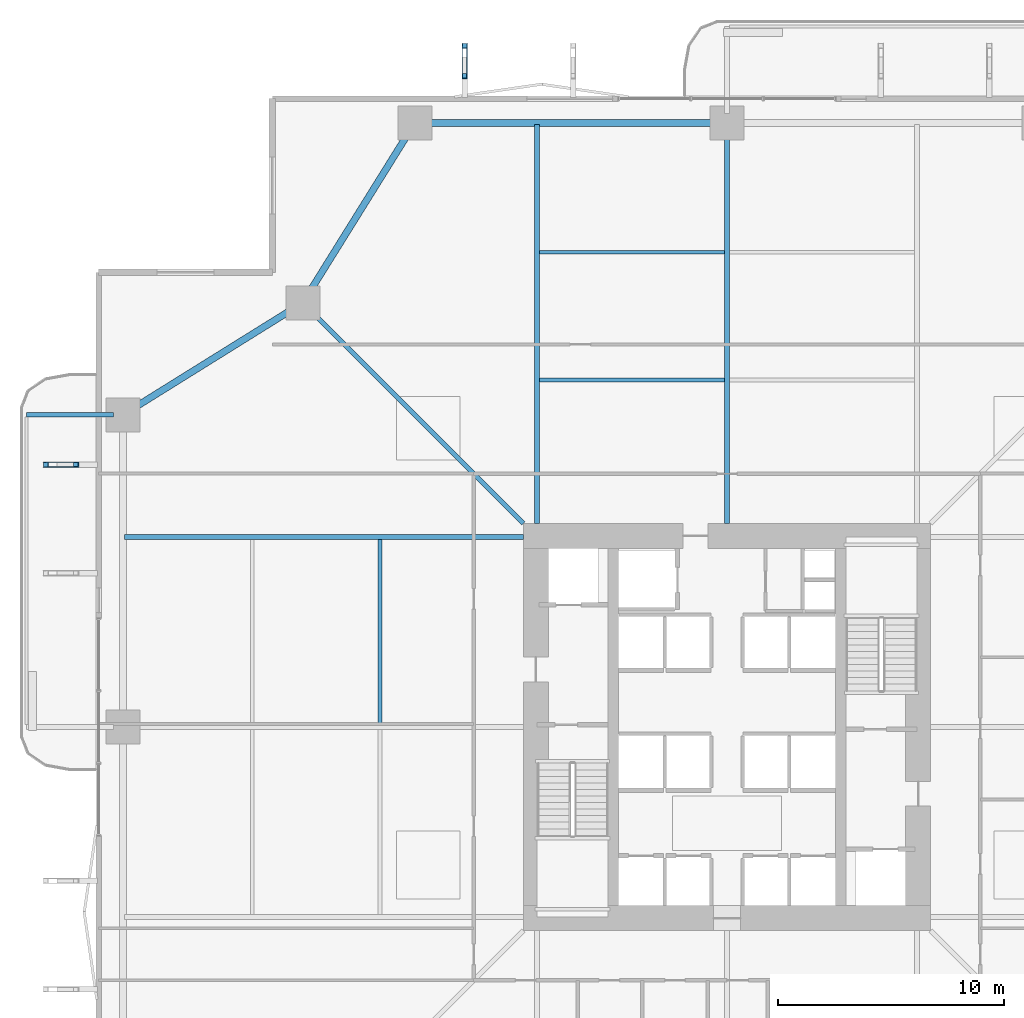
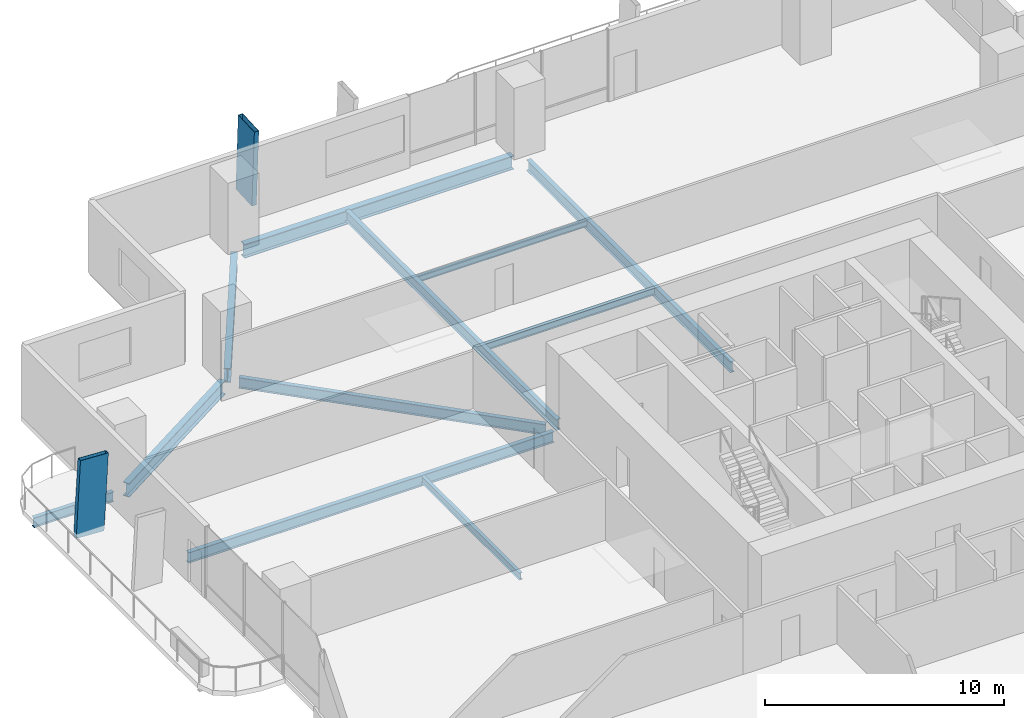
# One storey, part 10 of 23: 11 beams, 2 members.
"""IFC4 building model written with IfcOpenShell, lengths in metres."""

import ifcopenshell
import ifcopenshell.guid

model = None  # the IFC model being written
_history = None  # IfcOwnerHistory: only IFC2X3 demands one
_inside = {}  # id of a spatial element -> (the spatial element, [elements in it])
_under = {}  # id of a project, library or spatial element -> (it, [spatial elements below it])
_declared = {}  # id of a project -> (the project, [libraries it declares])
_typed = {}  # id of a type object -> (the type object, [elements of that type])
_made_of = {}  # id of a material, layer set ... -> (it, [elements and type objects made of it])


def new_model(schema):
    """Start an empty IFC model of exactly this schema.

    Asked for "IFC4X3", IfcOpenShell would pick the latest addendum, in which some entities
    have other attributes; the version numbers below select the first issue.
    IFC2X3 requires an IfcOwnerHistory on every rooted entity: one is made here for all.
    """
    global model, _history
    if schema == "IFC4X3":
        model = ifcopenshell.file(schema_version=(4, 3, 0, 0))
    else:
        model = ifcopenshell.file(schema=schema)
    _inside.clear()
    _under.clear()
    _declared.clear()
    _typed.clear()
    _made_of.clear()
    _history = None
    if model.schema == "IFC2X3":
        org = make("IfcOrganization", Name="unknown")
        user = make(
            "IfcPersonAndOrganization",
            ThePerson=make("IfcPerson", FamilyName="unknown"),
            TheOrganization=org,
        )
        app = make(
            "IfcApplication",
            ApplicationDeveloper=org,
            Version="unknown",
            ApplicationFullName="unknown",
            ApplicationIdentifier="unknown",
        )
        _history = make(
            "IfcOwnerHistory",
            OwningUser=user,
            OwningApplication=app,
            ChangeAction="ADDED",
            CreationDate=0,
        )
    return model


def make(cls, **values):
    """One entity of the class cls with the attributes given. An attribute that is None is left unset."""
    return model.create_entity(
        cls, **{name: value for name, value in values.items() if value is not None}
    )


def rooted(cls, **values):
    """An entity with a GlobalId (a new one), such as an element, a storey or a relation."""
    return make(cls, GlobalId=ifcopenshell.guid.new(), OwnerHistory=_history, **values)


def si_unit(unit_type, name, prefix=None):
    """IfcSIUnit, for example si_unit("LENGTHUNIT", "METRE", prefix="MILLI")."""
    return make("IfcSIUnit", UnitType=unit_type, Prefix=prefix, Name=name)


def assignment(units):
    """IfcUnitAssignment: the units of a project."""
    return None if units is None else make("IfcUnitAssignment", Units=units)


def point(xyz):
    """IfcCartesianPoint."""
    return None if xyz is None else make("IfcCartesianPoint", Coordinates=xyz)


def direction(xyz):
    """IfcDirection."""
    return None if xyz is None else make("IfcDirection", DirectionRatios=xyz)


def frame(location, z_axis=None, x_axis=None):
    """IfcAxis2Placement3D, a coordinate frame: its origin and axes. An axis left out is left unset."""
    return make(
        "IfcAxis2Placement3D",
        Location=point(location),
        Axis=direction(z_axis),
        RefDirection=direction(x_axis),
    )


def frame_2d(location, x_axis=None):
    """IfcAxis2Placement2D, a coordinate frame in the plane: its origin and x axis."""
    return make(
        "IfcAxis2Placement2D", Location=point(location), RefDirection=direction(x_axis)
    )


def origin():
    """The frame at (0, 0, 0) with its axes left unset."""
    return frame((0.0, 0.0, 0.0))


def origin_2d():
    """The frame at (0, 0) in the plane with its x axis left unset."""
    return frame_2d((0.0, 0.0))


def place(relative_to, where):
    """IfcLocalPlacement: puts the frame where relative to a parent placement (None: the world)."""
    return make(
        "IfcLocalPlacement", PlacementRelTo=relative_to, RelativePlacement=where
    )


def context(
    kind, dimensions, precision=None, world=None, true_north=None, identifier=None
):
    """IfcGeometricRepresentationContext, for example the 3D "Model" context."""
    return make(
        "IfcGeometricRepresentationContext",
        ContextIdentifier=identifier,
        ContextType=kind,
        CoordinateSpaceDimension=dimensions,
        Precision=precision,
        WorldCoordinateSystem=world,
        TrueNorth=true_north,
    )


def subcontext(parent, identifier, kind, view, scale=None):
    """IfcGeometricRepresentationSubContext, for example "Body" below "Model"."""
    return make(
        "IfcGeometricRepresentationSubContext",
        ContextIdentifier=identifier,
        ContextType=kind,
        ParentContext=parent,
        TargetScale=scale,
        TargetView=view,
    )


def project(units=None, contexts=None):
    """IfcProject with its units and contexts."""
    return rooted(
        "IfcProject",
        Name="project",
        RepresentationContexts=contexts,
        UnitsInContext=assignment(units),
    )


def spatial(cls, under=None, at=None, **own):
    """A site, building, storey or space (cls), placed at a placement, below another one or the project."""
    s = rooted(cls, ObjectPlacement=at, **own)
    if under is not None:
        _under.setdefault(under.id(), (under, []))[1].append(s)
    return s


def profile(cls, at=None, kind="AREA", **sizes):
    """A parametric profile (cls). Its sizes go by their IFC names, for example OverallWidth=200.0."""
    return make(cls, ProfileType=kind, Position=at, **sizes)


def hollow_rectangle(**sizes):
    """IfcRectangleHollowProfileDef."""
    return profile("IfcRectangleHollowProfileDef", **sizes)


def i_section(**sizes):
    """IfcIShapeProfileDef."""
    return profile("IfcIShapeProfileDef", **sizes)


def extrude(swept, where, along, depth):
    """IfcExtrudedAreaSolid: the profile swept, set in the frame where, extruded along a direction by depth."""
    return make(
        "IfcExtrudedAreaSolid",
        SweptArea=swept,
        Position=where,
        ExtrudedDirection=direction(along),
        Depth=depth,
    )


def shape(context_of_items, identifier, shape_type, items):
    """IfcShapeRepresentation: the items that make up one representation, for example the "Body"."""
    return make(
        "IfcShapeRepresentation",
        ContextOfItems=context_of_items,
        RepresentationIdentifier=identifier,
        RepresentationType=shape_type,
        Items=items,
    )


def material(Name=None, Category=None):
    """IfcMaterial."""
    return make("IfcMaterial", Name=Name, Category=Category)


def material_profile(
    of_material, cross_section, Name=None, Category=None, Priority=None
):
    """IfcMaterialProfile: a cross section and its material."""
    return make(
        "IfcMaterialProfile",
        Name=Name,
        Material=of_material,
        Profile=cross_section,
        Priority=Priority,
        Category=Category,
    )


def profile_set(profiles, Name=None, composite=None):
    """IfcMaterialProfileSet."""
    return make(
        "IfcMaterialProfileSet",
        Name=Name,
        MaterialProfiles=profiles,
        CompositeProfile=composite,
    )


def made_of(thing, what):
    """Note that an element or type object is made of a material, layer set ...; save() writes the relation."""
    if what is not None:
        _made_of.setdefault(what.id(), (what, []))[1].append(thing)
    return thing


def type_object(cls, material=None, **own):
    """A type object (cls), such as IfcWallType, which elements share."""
    return made_of(rooted(cls, **own), material)


def element(
    cls,
    number,
    at=None,
    inside=None,
    cuts=None,
    type_object=None,
    material=None,
    context=None,
    identifier="Body",
    shape_type=None,
    held_by="IfcProductDefinitionShape",
    body=None,
    shapes=None,
    **own,
):
    """One element of the class cls, such as IfcWall. Its Tag is "e" and its number.

    at: its placement. inside: the storey or other place that contains it. cuts: it is an
    opening in that element (IfcRelVoidsElement). A single representation is given by context,
    identifier, shape_type and body (its items); several are given by shapes. held_by: the class
    of the entity that holds the representations. save() writes the other relations.
    """
    e = rooted(cls, Tag="e%d" % number, ObjectPlacement=at, **own)
    if body is not None:
        shapes = [shape(context, identifier, shape_type, body)]
    if shapes is not None:
        e.Representation = make(held_by, Representations=shapes)
    if inside is not None:
        _inside.setdefault(inside.id(), (inside, []))[1].append(e)
    if cuts is not None:
        rooted(
            "IfcRelVoidsElement", RelatingBuildingElement=cuts, RelatedOpeningElement=e
        )
    if type_object is not None:
        _typed.setdefault(type_object.id(), (type_object, []))[1].append(e)
    return made_of(e, material)


def aggregate(whole, parts):
    """IfcRelAggregates: a whole, such as a stair, and the parts it consists of."""
    return rooted("IfcRelAggregates", RelatingObject=whole, RelatedObjects=parts)


def save(model, path):
    """Write the relations noted so far, then the file.

    IfcRelAggregates (storeys below a building ...), IfcRelContainedInSpatialStructure (elements
    in a storey), IfcRelDefinesByType, IfcRelAssociatesMaterial and IfcRelDeclares: one each for
    every whole, place, type object, material and project.
    """
    for whole, parts in _under.values():
        aggregate(whole, parts)
    for where, things in _inside.values():
        rooted(
            "IfcRelContainedInSpatialStructure",
            RelatedElements=things,
            RelatingStructure=where,
        )
    for kind, things in _typed.values():
        rooted("IfcRelDefinesByType", RelatedObjects=things, RelatingType=kind)
    for what, things in _made_of.values():
        rooted("IfcRelAssociatesMaterial", RelatedObjects=things, RelatingMaterial=what)
    for by, libraries in _declared.values():
        rooted("IfcRelDeclares", RelatingContext=by, RelatedDefinitions=libraries)
    model.write(path)


model = new_model("IFC4")

# Units and contexts
model_context = context("Model", 3, precision=1e-05, world=origin(), true_north=direction((0.0, 1.0)))
body_context = subcontext(model_context, "Body", "Model", "MODEL_VIEW")
ifc_project = project(units=[si_unit("LENGTHUNIT", "METRE"), si_unit("AREAUNIT", "SQUARE_METRE"), si_unit("VOLUMEUNIT", "CUBIC_METRE"), si_unit("PLANEANGLEUNIT", "RADIAN"), si_unit("MASSUNIT", "GRAM", prefix="KILO")], contexts=[model_context])

# Site, building, storey
site_placement = place(None, origin())
site = spatial("IfcSite", under=ifc_project, at=site_placement, CompositionType="ELEMENT")
building_placement = place(site_placement, origin())
building = spatial("IfcBuilding", under=site, at=building_placement, Name="Belovzor Exchange Tower", CompositionType="ELEMENT")
storey_placement = place(building_placement, frame((0.0, 0.0, 65.10009765625)))
storey = spatial("IfcBuildingStorey", under=building, at=storey_placement, Name="L15", CompositionType="ELEMENT", Elevation=65.10009765625)

# Members
ifc_material_1 = material(Name="Extruded Architectural Terracotta on Steel S355 Carrier", Category="masonry")
ifc_material_profile_1 = material_profile(ifc_material_1, hollow_rectangle(XDim=0.219970703125, YDim=1.35009765625, WallThickness=0.013916015625, at=origin_2d()))
ifc_profile_set_1 = profile_set([ifc_material_profile_1], Name="Extruded Architectural Terracotta on Steel S355 Carrier")
member_type = type_object("IfcMemberType", Name="Base Arc Sweeping Terracotta Pylon Fin 1450", PredefinedType="USERDEFINED", material=ifc_profile_set_1)
for number, where, z_axis, x_axis, name in (
    (1, (17.199951171875, 58.339111328125, -0.25), (0.0, -0.053011620344, 0.998593895489), (1.0, 0.0, 0.0), "FIN-TC145 Terracotta Facade Fin L15 N1"),
    (2, (-0.739013671875, 40.39990234375, -0.25), (0.053011620344, 0.0, 0.998593895489), (0.0, 1.0, 0.0), "FIN-TC145 Terracotta Facade Fin L15 W4"),
):
    element("IfcMember", number, at=place(storey_placement, frame(where, z_axis=z_axis, x_axis=x_axis)), inside=storey, type_object=member_type, Name=name, ObjectType="FIN", PredefinedType="USERDEFINED", context=body_context, shape_type="SweptSolid", body=[
        extrude(hollow_rectangle(XDim=0.219970703125, YDim=1.35009765625, WallThickness=0.013916015625, at=origin_2d()), origin(), (0.0, 0.0, 1.0), 3.9052734375),
    ])

# Beams
ifc_material_2 = material(Name="Steel S355", Category="steel")
ifc_material_profile_2 = material_profile(ifc_material_2, i_section(OverallWidth=0.199951171875, OverallDepth=0.5, WebThickness=0.01025390625, FlangeThickness=0.01611328125, at=origin_2d()))
ifc_profile_set_2 = profile_set([ifc_material_profile_2], Name="Steel S355")
beam_type_1 = type_object("IfcBeamType", Name="Planted Balcony Cantilever Beam IPE 500", PredefinedType="BEAM", material=ifc_profile_set_2)
beam_1_placement = place(storey_placement, frame((1.68798828125, 42.60009765625, -0.5), z_axis=(-1.0, 0.0, 0.0), x_axis=(0.0, -1.0, 0.0)))
element("IfcBeam", 3, at=beam_1_placement, inside=storey, type_object=beam_type_1, Name="BC-500 Planted Balcony Cantilever Beam IPE 500", PredefinedType="BEAM", context=body_context, shape_type="SweptSolid", body=[
    extrude(i_section(OverallWidth=0.199951171875, OverallDepth=0.5, WebThickness=0.01025390625, FlangeThickness=0.01611328125, at=origin_2d()), origin(), (0.0, 0.0, 1.0), 3.85009765625),
])
ifc_material_3 = material(Name="Steel S355", Category="steel")
ifc_material_profile_3 = material_profile(ifc_material_3, i_section(OverallWidth=0.169921875, OverallDepth=0.360107421875, WebThickness=0.008056640625, FlangeThickness=0.0126953125, at=origin_2d()))
ifc_profile_set_3 = profile_set([ifc_material_profile_3], Name="Steel S355")
beam_type_2 = type_object("IfcBeamType", Name="Secondary Infill Floor Joist IPE 360", PredefinedType="BEAM", material=ifc_profile_set_3)
beam_2_placement = place(storey_placement, frame((20.5048828125, 44.14501953125, -0.43017578125), z_axis=(1.0, 0.0, 0.0), x_axis=(0.0, 1.0, 0.0)))
element("IfcBeam", 4, at=beam_2_placement, inside=storey, type_object=beam_type_2, Name="FJ-360 Secondary Infill Floor Joist IPE 360", PredefinedType="BEAM", context=body_context, shape_type="SweptSolid", body=[
    extrude(i_section(OverallWidth=0.169921875, OverallDepth=0.360107421875, WebThickness=0.008056640625, FlangeThickness=0.0126953125, at=origin_2d()), origin(), (0.0, 0.0, 1.0), 8.190185546875),
])
beam_3_placement = place(storey_placement, frame((13.455078125, 28.905029296875, -0.43017578125), z_axis=(0.0, 1.0, 0.0), x_axis=(-1.0, 0.0, 0.0)))
element("IfcBeam", 5, at=beam_3_placement, inside=storey, type_object=beam_type_2, Name="FJ-360 Secondary Infill Floor Joist IPE 360", PredefinedType="BEAM", context=body_context, shape_type="SweptSolid", body=[
    extrude(i_section(OverallWidth=0.169921875, OverallDepth=0.360107421875, WebThickness=0.008056640625, FlangeThickness=0.0126953125, at=origin_2d()), origin(), (0.0, 0.0, 1.0), 8.18994140625),
])
ifc_material_4 = material(Name="Steel S355", Category="steel")
ifc_material_profile_4 = material_profile(ifc_material_4, i_section(OverallWidth=0.14990234375, OverallDepth=0.300048828125, WebThickness=0.007080078125, FlangeThickness=0.0107421875, at=origin_2d()))
ifc_profile_set_4 = profile_set([ifc_material_profile_4], Name="Steel S355")
beam_type_3 = type_object("IfcBeamType", Name="Secondary Trim Floor Joist IPE 300", PredefinedType="BEAM", material=ifc_profile_set_4)
beam_4_placement = place(storey_placement, frame((20.5048828125, 49.784912109375, -0.400146484375), z_axis=(1.0, 0.0, 0.0), x_axis=(0.0, 1.0, 0.0)))
element("IfcBeam", 6, at=beam_4_placement, inside=storey, type_object=beam_type_3, Name="FJ-300 Secondary Trim Floor Joist IPE 300", PredefinedType="BEAM", context=body_context, shape_type="SweptSolid", body=[
    extrude(i_section(OverallWidth=0.14990234375, OverallDepth=0.300048828125, WebThickness=0.007080078125, FlangeThickness=0.0107421875, at=origin_2d()), origin(), (0.0, 0.0, 1.0), 8.190185546875),
])
ifc_material_5 = material(Name="Steel S355", Category="steel")
ifc_material_profile_5 = material_profile(ifc_material_5, i_section(OverallWidth=0.300048828125, OverallDepth=0.699951171875, WebThickness=0.01708984375, FlangeThickness=0.031982421875, at=origin_2d()))
ifc_profile_set_5 = profile_set([ifc_material_profile_5], Name="Steel S355")
beam_type_4 = type_object("IfcBeamType", Name="Zone 1 Primary Perimeter Girder HEB 700", PredefinedType="BEAM", material=ifc_profile_set_5)
beam_5_placement = place(storey_placement, frame((28.386962890625, 55.5, -0.60009765625), z_axis=(-1.0, 0.0, 0.0), x_axis=(0.0, -1.0, 0.0)))
element("IfcBeam", 7, at=beam_5_placement, inside=storey, type_object=beam_type_4, Name="FG-Z1 Zone 1 Primary Perimeter Girder HEB 700", PredefinedType="BEAM", context=body_context, shape_type="SweptSolid", body=[
    extrude(i_section(OverallWidth=0.300048828125, OverallDepth=0.699951171875, WebThickness=0.01708984375, FlangeThickness=0.031982421875, at=origin_2d()), origin(), (0.0, 0.0, 1.0), 12.974853515625),
])
for number, where, z_axis, x_axis, name in (
    (8, (14.781982421875, 55.14990234375, -0.60009765625), (-0.528538629686, -0.848909251292, 0.0), (0.848909251292, -0.528538629686, 0.0), "FG-Z1 Zone 1 Primary Perimeter Girder HEB 700"),
    (9, (9.699951171875, 47.33203125, -0.60009765625), (-0.848909251292, -0.528538629686, 0.0), (0.528538629686, -0.848909251292, 0.0), "FG-Z1 Zone 1 Primary Perimeter Girder HEB 700"),
):
    element("IfcBeam", number, at=place(storey_placement, frame(where, z_axis=z_axis, x_axis=x_axis)), inside=storey, type_object=beam_type_4, Name=name, PredefinedType="BEAM", context=body_context, shape_type="SweptSolid", body=[
        extrude(i_section(OverallWidth=0.300048828125, OverallDepth=0.699951171875, WebThickness=0.01708984375, FlangeThickness=0.031982421875, at=origin_2d()), origin(), (0.0, 0.0, 1.0), 8.540283203125),
    ])
ifc_material_6 = material(Name="Steel S355", Category="steel")
ifc_material_profile_6 = material_profile(ifc_material_6, i_section(OverallWidth=0.2099609375, OverallDepth=0.550048828125, WebThickness=0.010986328125, FlangeThickness=0.01708984375, at=origin_2d()))
ifc_profile_set_6 = profile_set([ifc_material_profile_6], Name="Steel S355")
beam_type_5 = type_object("IfcBeamType", Name="Zone 1 Radial Composite Floor Beam IPE 550", PredefinedType="BEAM", material=ifc_profile_set_6)
beam_6_placement = place(storey_placement, frame((20.39990234375, 37.800048828125, -0.525146484375), z_axis=(0.0, 1.0, 0.0), x_axis=(-1.0, 0.0, 0.0)))
element("IfcBeam", 10, at=beam_6_placement, inside=storey, type_object=beam_type_5, Name="FB-550 Zone 1 Radial Composite Floor Beam IPE 550", PredefinedType="BEAM", context=body_context, shape_type="SweptSolid", body=[
    extrude(i_section(OverallWidth=0.2099609375, OverallDepth=0.550048828125, WebThickness=0.010986328125, FlangeThickness=0.01708984375, at=origin_2d()), origin(), (0.0, 0.0, 1.0), 17.625),
])
beam_7_placement = place(storey_placement, frame((28.800048828125, 37.800048828125, -0.525146484375), z_axis=(0.0, 1.0, 0.0), x_axis=(-1.0, 0.0, 0.0)))
element("IfcBeam", 11, at=beam_7_placement, inside=storey, type_object=beam_type_5, Name="FB-550 Zone 1 Radial Composite Floor Beam IPE 550", PredefinedType="BEAM", context=body_context, shape_type="SweptSolid", body=[
    extrude(i_section(OverallWidth=0.2099609375, OverallDepth=0.550048828125, WebThickness=0.010986328125, FlangeThickness=0.01708984375, at=origin_2d()), origin(), (0.0, 0.0, 1.0), 17.0400390625),
])
beam_8_placement = place(storey_placement, frame((19.800048828125, 37.199951171875, -0.525146484375), z_axis=(-1.0, 0.0, 0.0), x_axis=(0.0, -1.0, 0.0)))
element("IfcBeam", 12, at=beam_8_placement, inside=storey, type_object=beam_type_5, Name="FB-550 Zone 1 Radial Composite Floor Beam IPE 550", PredefinedType="BEAM", context=body_context, shape_type="SweptSolid", body=[
    extrude(i_section(OverallWidth=0.2099609375, OverallDepth=0.550048828125, WebThickness=0.010986328125, FlangeThickness=0.01708984375, at=origin_2d()), origin(), (0.0, 0.0, 1.0), 17.625),
])
beam_9_placement = place(storey_placement, frame((19.800048828125, 37.800048828125, -0.525146484375), z_axis=(-0.707106781187, 0.707106781187, 0.0), x_axis=(-0.707106781187, -0.707106781187, 0.0)))
element("IfcBeam", 13, at=beam_9_placement, inside=storey, type_object=beam_type_5, Name="FB-550 Zone 1 Radial Composite Floor Beam IPE 550", PredefinedType="BEAM", context=body_context, shape_type="SweptSolid", body=[
    extrude(i_section(OverallWidth=0.2099609375, OverallDepth=0.550048828125, WebThickness=0.010986328125, FlangeThickness=0.01708984375, at=origin_2d()), origin(), (0.0, 0.0, 1.0), 13.25830078125),
])

save(model, "model.ifc")
